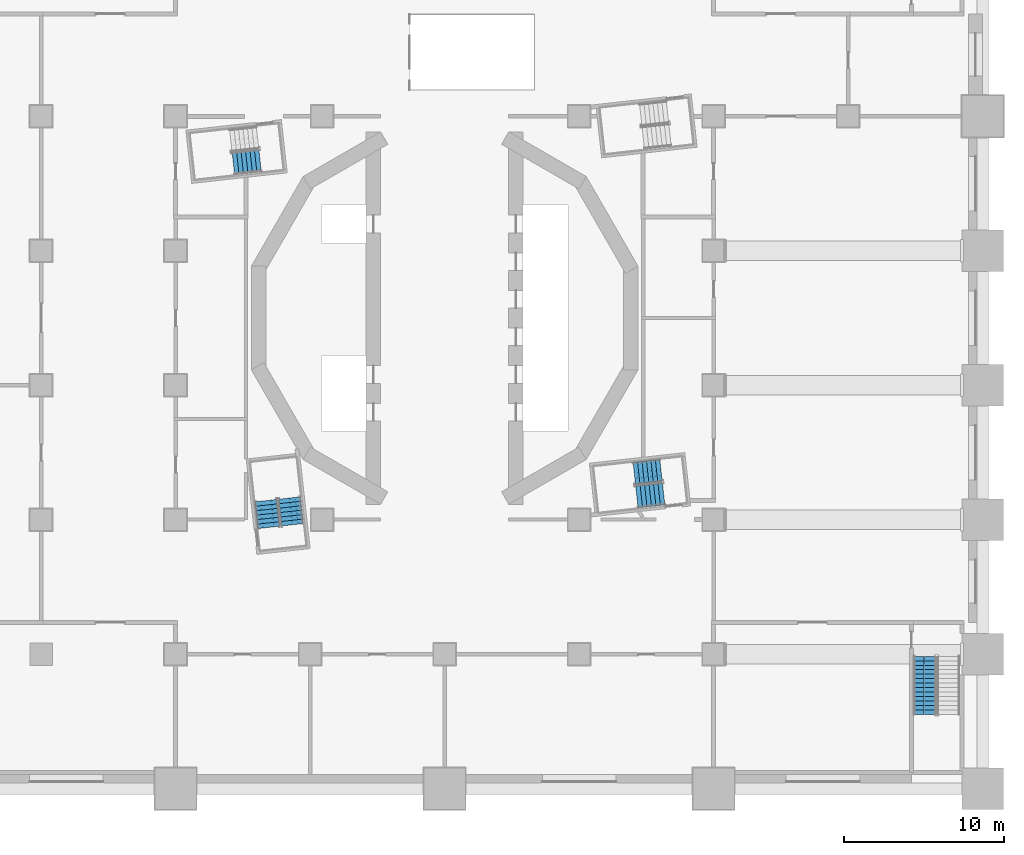
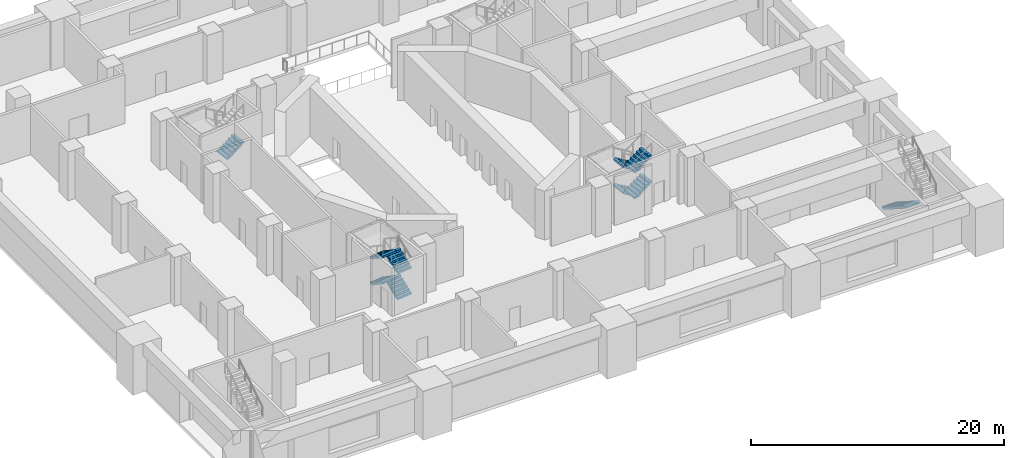
# One storey, part 6 of 17: 10 stair flights, 4 elements without a shape of their own.
"""IFC4 building model written with IfcOpenShell, lengths in metres."""

from ifc_helpers import new_model, si_unit, direction, frame, origin, place, context, subcontext, project, spatial, polyline, outline, extrude, material, type_object, element, aggregate, save


model = new_model("IFC4")

# Units and contexts
model_context = context("Model", 3, precision=1e-05, world=origin(), true_north=direction((0.0, 1.0)))
body_context = subcontext(model_context, "Body", "Model", "MODEL_VIEW")
ifc_project = project(units=[si_unit("LENGTHUNIT", "METRE"), si_unit("AREAUNIT", "SQUARE_METRE"), si_unit("VOLUMEUNIT", "CUBIC_METRE"), si_unit("PLANEANGLEUNIT", "RADIAN"), si_unit("MASSUNIT", "GRAM", prefix="KILO")], contexts=[model_context])

# Site, building, storey
site_placement = place(None, origin())
site = spatial("IfcSite", under=ifc_project, at=site_placement, CompositionType="ELEMENT")
building_placement = place(site_placement, origin())
building = spatial("IfcBuilding", under=site, at=building_placement, Name="Cantera Rosa Tower", CompositionType="ELEMENT")
storey_placement = place(building_placement, frame((0.0, 0.0, 22.0)))
storey = spatial("IfcBuildingStorey", under=building, at=storey_placement, Name="L03", CompositionType="ELEMENT", Elevation=22.0)

# Stair, stair flight
ifc_material_1 = material(Name="Concrete C35/45", Category="concrete")
stair_type_1 = type_object("IfcStairType", Name="EXIT STAIR 1350 DOGLEG", PredefinedType="HALF_TURN_STAIR", material=ifc_material_1)
stair_1_placement = place(storey_placement, origin())
stair_1 = element("IfcStair", 1, at=stair_1_placement, inside=storey, type_object=stair_type_1, Name="L03 ST-12", PredefinedType="HALF_TURN_STAIR")
ifc_material_2 = material(Name="Concrete C35/45", Category="concrete")
stair_flight_type_1 = type_object("IfcStairFlightType", Name="STAIR FLIGHT 1350 R28x179", PredefinedType="STRAIGHT", material=ifc_material_2)
stair_flight_1_placement = place(storey_placement, frame((-13.195556640625, 9.623779296875, 1.25), z_axis=(0.0, 0.0, 1.0), x_axis=(0.993896947056, 0.110312549749, 0.0)))
stair_flight_1 = element("IfcStairFlight", 2, at=stair_flight_1_placement, type_object=stair_flight_type_1, Name="ST-12 flight 2", NumberOfRisers=7, NumberOfTreads=6, PredefinedType="STRAIGHT", RiserHeight=0.178571429, TreadLength=0.28, context=body_context, shape_type="SweptSolid", body=[
    extrude(outline(polyline([(0.0, 0.0), (0.0, 0.178466796875), (0.280029296875, 0.178466796875), (0.280029296875, 0.357177734375), (0.56005859375, 0.357177734375), (0.56005859375, 0.53564453125), (0.840087890625, 0.53564453125), (0.840087890625, 0.71435546875), (1.1201171875, 0.71435546875), (1.1201171875, 0.892822265625), (1.39990234375, 0.892822265625), (1.39990234375, 1.071533203125), (1.679931640625, 1.071533203125), (1.679931640625, 1.25), (1.679931640625, 0.8935546875), (0.27880859375, 0.0), (0.0, 0.0)])), frame((0.0, 0.675048828125, 0.0), z_axis=(0.0, -1.0, 0.0), x_axis=(1.0, 0.0, 0.0)), (0.0, 0.0, 1.0), 0.3359375),
    extrude(outline(polyline([(0.0, 0.0), (0.0, 0.178466796875), (0.280029296875, 0.178466796875), (0.280029296875, 0.357177734375), (0.56005859375, 0.357177734375), (0.56005859375, 0.53564453125), (0.840087890625, 0.53564453125), (0.840087890625, 0.71435546875), (1.1201171875, 0.71435546875), (1.1201171875, 0.892822265625), (1.39990234375, 0.892822265625), (1.39990234375, 1.071533203125), (1.679931640625, 1.071533203125), (1.679931640625, 1.25), (1.679931640625, 0.8935546875), (0.27880859375, 0.0), (0.0, 0.0)])), frame((0.0, 0.337158203125, 0.0), z_axis=(0.0, -1.0, 0.0), x_axis=(1.0, 0.0, 0.0)), (0.0, 0.0, 1.0), 0.3359375),
    extrude(outline(polyline([(0.0, 0.0), (0.0, 0.178466796875), (0.280029296875, 0.178466796875), (0.280029296875, 0.357177734375), (0.56005859375, 0.357177734375), (0.56005859375, 0.53564453125), (0.840087890625, 0.53564453125), (0.840087890625, 0.71435546875), (1.1201171875, 0.71435546875), (1.1201171875, 0.892822265625), (1.39990234375, 0.892822265625), (1.39990234375, 1.071533203125), (1.679931640625, 1.071533203125), (1.679931640625, 1.25), (1.679931640625, 0.8935546875), (0.27880859375, 0.0), (0.0, 0.0)])), frame((0.0, -0.000732421875, 0.0), z_axis=(0.0, -1.0, 0.0), x_axis=(1.0, 0.0, 0.0)), (0.0, 0.0, 1.0), 0.3359375),
    extrude(outline(polyline([(0.0, 0.0), (0.0, 0.178466796875), (0.280029296875, 0.178466796875), (0.280029296875, 0.357177734375), (0.56005859375, 0.357177734375), (0.56005859375, 0.53564453125), (0.840087890625, 0.53564453125), (0.840087890625, 0.71435546875), (1.1201171875, 0.71435546875), (1.1201171875, 0.892822265625), (1.39990234375, 0.892822265625), (1.39990234375, 1.071533203125), (1.679931640625, 1.071533203125), (1.679931640625, 1.25), (1.679931640625, 0.8935546875), (0.27880859375, 0.0), (0.0, 0.0)])), frame((0.0, -0.338623046875, 0.0), z_axis=(0.0, -1.0, 0.0), x_axis=(1.0, 0.0, 0.0)), (0.0, 0.0, 1.0), 0.3359375),
])
aggregate(stair_1, [stair_flight_1])

# Stair, stair flights
stair_2_placement = place(storey_placement, origin())
stair_2 = element("IfcStair", 3, at=stair_2_placement, inside=storey, type_object=stair_type_1, Name="L03 ST-13", PredefinedType="HALF_TURN_STAIR")
stair_flight_2_placement = place(storey_placement, frame((-9.500244140625, -12.90869140625, 0.0), z_axis=(0.0, 0.0, 1.0), x_axis=(-0.110312549749, 0.993896947056, 0.0)))
stair_flight_2 = element("IfcStairFlight", 4, at=stair_flight_2_placement, type_object=stair_flight_type_1, Name="ST-13 flight 1", NumberOfRisers=7, NumberOfTreads=6, PredefinedType="STRAIGHT", RiserHeight=0.178571429, TreadLength=0.28, context=body_context, shape_type="SweptSolid", body=[
    extrude(outline(polyline([(0.0, 0.0), (0.0, 0.178466796875), (0.280029296875, 0.178466796875), (0.280029296875, 0.357177734375), (0.56005859375, 0.357177734375), (0.56005859375, 0.53564453125), (0.840087890625, 0.53564453125), (0.840087890625, 0.71435546875), (1.1201171875, 0.71435546875), (1.1201171875, 0.892822265625), (1.39990234375, 0.892822265625), (1.39990234375, 1.071533203125), (1.679931640625, 1.071533203125), (1.679931640625, 1.25), (1.679931640625, 0.8935546875), (0.27880859375, 0.0), (0.0, 0.0)])), frame((0.0, 0.675048828125, 0.0), z_axis=(0.0, -1.0, 0.0), x_axis=(1.0, 0.0, 0.0)), (0.0, 0.0, 1.0), 0.3359375),
    extrude(outline(polyline([(0.0, 0.0), (0.0, 0.178466796875), (0.280029296875, 0.178466796875), (0.280029296875, 0.357177734375), (0.56005859375, 0.357177734375), (0.56005859375, 0.53564453125), (0.840087890625, 0.53564453125), (0.840087890625, 0.71435546875), (1.1201171875, 0.71435546875), (1.1201171875, 0.892822265625), (1.39990234375, 0.892822265625), (1.39990234375, 1.071533203125), (1.679931640625, 1.071533203125), (1.679931640625, 1.25), (1.679931640625, 0.8935546875), (0.27880859375, 0.0), (0.0, 0.0)])), frame((0.0, 0.337158203125, 0.0), z_axis=(0.0, -1.0, 0.0), x_axis=(1.0, 0.0, 0.0)), (0.0, 0.0, 1.0), 0.3359375),
    extrude(outline(polyline([(0.0, 0.0), (0.0, 0.178466796875), (0.280029296875, 0.178466796875), (0.280029296875, 0.357177734375), (0.56005859375, 0.357177734375), (0.56005859375, 0.53564453125), (0.840087890625, 0.53564453125), (0.840087890625, 0.71435546875), (1.1201171875, 0.71435546875), (1.1201171875, 0.892822265625), (1.39990234375, 0.892822265625), (1.39990234375, 1.071533203125), (1.679931640625, 1.071533203125), (1.679931640625, 1.25), (1.679931640625, 0.8935546875), (0.27880859375, 0.0), (0.0, 0.0)])), frame((0.0, -0.000732421875, 0.0), z_axis=(0.0, -1.0, 0.0), x_axis=(1.0, 0.0, 0.0)), (0.0, 0.0, 1.0), 0.3359375),
    extrude(outline(polyline([(0.0, 0.0), (0.0, 0.178466796875), (0.280029296875, 0.178466796875), (0.280029296875, 0.357177734375), (0.56005859375, 0.357177734375), (0.56005859375, 0.53564453125), (0.840087890625, 0.53564453125), (0.840087890625, 0.71435546875), (1.1201171875, 0.71435546875), (1.1201171875, 0.892822265625), (1.39990234375, 0.892822265625), (1.39990234375, 1.071533203125), (1.679931640625, 1.071533203125), (1.679931640625, 1.25), (1.679931640625, 0.8935546875), (0.27880859375, 0.0), (0.0, 0.0)])), frame((0.0, -0.338623046875, 0.0), z_axis=(0.0, -1.0, 0.0), x_axis=(1.0, 0.0, 0.0)), (0.0, 0.0, 1.0), 0.3359375),
])
stair_flight_3_placement = place(storey_placement, frame((-11.17626953125, -11.404541015625, 1.25), z_axis=(0.0, 0.0, 1.0), x_axis=(0.110312549749, -0.993896947056, 0.0)))
stair_flight_3 = element("IfcStairFlight", 5, at=stair_flight_3_placement, type_object=stair_flight_type_1, Name="ST-13 flight 2", NumberOfRisers=7, NumberOfTreads=6, PredefinedType="STRAIGHT", RiserHeight=0.178571429, TreadLength=0.28, context=body_context, shape_type="SweptSolid", body=[
    extrude(outline(polyline([(0.0, 0.0), (0.0, 0.178466796875), (0.280029296875, 0.178466796875), (0.280029296875, 0.357177734375), (0.56005859375, 0.357177734375), (0.56005859375, 0.53564453125), (0.840087890625, 0.53564453125), (0.840087890625, 0.71435546875), (1.1201171875, 0.71435546875), (1.1201171875, 0.892822265625), (1.39990234375, 0.892822265625), (1.39990234375, 1.071533203125), (1.679931640625, 1.071533203125), (1.679931640625, 1.25), (1.679931640625, 0.8935546875), (0.27880859375, 0.0), (0.0, 0.0)])), frame((0.0, 0.675048828125, 0.0), z_axis=(0.0, -1.0, 0.0), x_axis=(1.0, 0.0, 0.0)), (0.0, 0.0, 1.0), 0.3359375),
    extrude(outline(polyline([(0.0, 0.0), (0.0, 0.178466796875), (0.280029296875, 0.178466796875), (0.280029296875, 0.357177734375), (0.56005859375, 0.357177734375), (0.56005859375, 0.53564453125), (0.840087890625, 0.53564453125), (0.840087890625, 0.71435546875), (1.1201171875, 0.71435546875), (1.1201171875, 0.892822265625), (1.39990234375, 0.892822265625), (1.39990234375, 1.071533203125), (1.679931640625, 1.071533203125), (1.679931640625, 1.25), (1.679931640625, 0.8935546875), (0.27880859375, 0.0), (0.0, 0.0)])), frame((0.0, 0.337158203125, 0.0), z_axis=(0.0, -1.0, 0.0), x_axis=(1.0, 0.0, 0.0)), (0.0, 0.0, 1.0), 0.3359375),
    extrude(outline(polyline([(0.0, 0.0), (0.0, 0.178466796875), (0.280029296875, 0.178466796875), (0.280029296875, 0.357177734375), (0.56005859375, 0.357177734375), (0.56005859375, 0.53564453125), (0.840087890625, 0.53564453125), (0.840087890625, 0.71435546875), (1.1201171875, 0.71435546875), (1.1201171875, 0.892822265625), (1.39990234375, 0.892822265625), (1.39990234375, 1.071533203125), (1.679931640625, 1.071533203125), (1.679931640625, 1.25), (1.679931640625, 0.8935546875), (0.27880859375, 0.0), (0.0, 0.0)])), frame((0.0, -0.000732421875, 0.0), z_axis=(0.0, -1.0, 0.0), x_axis=(1.0, 0.0, 0.0)), (0.0, 0.0, 1.0), 0.3359375),
    extrude(outline(polyline([(0.0, 0.0), (0.0, 0.178466796875), (0.280029296875, 0.178466796875), (0.280029296875, 0.357177734375), (0.56005859375, 0.357177734375), (0.56005859375, 0.53564453125), (0.840087890625, 0.53564453125), (0.840087890625, 0.71435546875), (1.1201171875, 0.71435546875), (1.1201171875, 0.892822265625), (1.39990234375, 0.892822265625), (1.39990234375, 1.071533203125), (1.679931640625, 1.071533203125), (1.679931640625, 1.25), (1.679931640625, 0.8935546875), (0.27880859375, 0.0), (0.0, 0.0)])), frame((0.0, -0.338623046875, 0.0), z_axis=(0.0, -1.0, 0.0), x_axis=(1.0, 0.0, 0.0)), (0.0, 0.0, 1.0), 0.3359375),
])
stair_flight_4_placement = place(storey_placement, frame((-9.500244140625, -12.90869140625, 2.5), z_axis=(0.0, 0.0, 1.0), x_axis=(-0.110312549749, 0.993896947056, 0.0)))
stair_flight_4 = element("IfcStairFlight", 6, at=stair_flight_4_placement, type_object=stair_flight_type_1, Name="ST-13 flight 3", NumberOfRisers=7, NumberOfTreads=6, PredefinedType="STRAIGHT", RiserHeight=0.178571429, TreadLength=0.28, context=body_context, shape_type="SweptSolid", body=[
    extrude(outline(polyline([(0.0, 0.0), (0.0, 0.178466796875), (0.280029296875, 0.178466796875), (0.280029296875, 0.357177734375), (0.56005859375, 0.357177734375), (0.56005859375, 0.53564453125), (0.840087890625, 0.53564453125), (0.840087890625, 0.71435546875), (1.1201171875, 0.71435546875), (1.1201171875, 0.892822265625), (1.39990234375, 0.892822265625), (1.39990234375, 1.071533203125), (1.679931640625, 1.071533203125), (1.679931640625, 1.25), (1.679931640625, 0.8935546875), (0.27880859375, 0.0), (0.0, 0.0)])), frame((0.0, 0.675048828125, 0.0), z_axis=(0.0, -1.0, 0.0), x_axis=(1.0, 0.0, 0.0)), (0.0, 0.0, 1.0), 0.3359375),
    extrude(outline(polyline([(0.0, 0.0), (0.0, 0.178466796875), (0.280029296875, 0.178466796875), (0.280029296875, 0.357177734375), (0.56005859375, 0.357177734375), (0.56005859375, 0.53564453125), (0.840087890625, 0.53564453125), (0.840087890625, 0.71435546875), (1.1201171875, 0.71435546875), (1.1201171875, 0.892822265625), (1.39990234375, 0.892822265625), (1.39990234375, 1.071533203125), (1.679931640625, 1.071533203125), (1.679931640625, 1.25), (1.679931640625, 0.8935546875), (0.27880859375, 0.0), (0.0, 0.0)])), frame((0.0, 0.337158203125, 0.0), z_axis=(0.0, -1.0, 0.0), x_axis=(1.0, 0.0, 0.0)), (0.0, 0.0, 1.0), 0.3359375),
    extrude(outline(polyline([(0.0, 0.0), (0.0, 0.178466796875), (0.280029296875, 0.178466796875), (0.280029296875, 0.357177734375), (0.56005859375, 0.357177734375), (0.56005859375, 0.53564453125), (0.840087890625, 0.53564453125), (0.840087890625, 0.71435546875), (1.1201171875, 0.71435546875), (1.1201171875, 0.892822265625), (1.39990234375, 0.892822265625), (1.39990234375, 1.071533203125), (1.679931640625, 1.071533203125), (1.679931640625, 1.25), (1.679931640625, 0.8935546875), (0.27880859375, 0.0), (0.0, 0.0)])), frame((0.0, -0.000732421875, 0.0), z_axis=(0.0, -1.0, 0.0), x_axis=(1.0, 0.0, 0.0)), (0.0, 0.0, 1.0), 0.3359375),
    extrude(outline(polyline([(0.0, 0.0), (0.0, 0.178466796875), (0.280029296875, 0.178466796875), (0.280029296875, 0.357177734375), (0.56005859375, 0.357177734375), (0.56005859375, 0.53564453125), (0.840087890625, 0.53564453125), (0.840087890625, 0.71435546875), (1.1201171875, 0.71435546875), (1.1201171875, 0.892822265625), (1.39990234375, 0.892822265625), (1.39990234375, 1.071533203125), (1.679931640625, 1.071533203125), (1.679931640625, 1.25), (1.679931640625, 0.8935546875), (0.27880859375, 0.0), (0.0, 0.0)])), frame((0.0, -0.338623046875, 0.0), z_axis=(0.0, -1.0, 0.0), x_axis=(1.0, 0.0, 0.0)), (0.0, 0.0, 1.0), 0.3359375),
])
stair_flight_5_placement = place(storey_placement, frame((-11.17626953125, -11.404541015625, 3.75), z_axis=(0.0, 0.0, 1.0), x_axis=(0.110312549749, -0.993896947056, 0.0)))
stair_flight_5 = element("IfcStairFlight", 7, at=stair_flight_5_placement, type_object=stair_flight_type_1, Name="ST-13 flight 4", NumberOfRisers=7, NumberOfTreads=6, PredefinedType="STRAIGHT", RiserHeight=0.178571429, TreadLength=0.28, context=body_context, shape_type="SweptSolid", body=[
    extrude(outline(polyline([(0.0, 0.0), (0.0, 0.178466796875), (0.280029296875, 0.178466796875), (0.280029296875, 0.357177734375), (0.56005859375, 0.357177734375), (0.56005859375, 0.53564453125), (0.840087890625, 0.53564453125), (0.840087890625, 0.71435546875), (1.1201171875, 0.71435546875), (1.1201171875, 0.892822265625), (1.39990234375, 0.892822265625), (1.39990234375, 1.071533203125), (1.679931640625, 1.071533203125), (1.679931640625, 1.25), (1.679931640625, 0.8935546875), (0.27880859375, 0.0), (0.0, 0.0)])), frame((0.0, 0.675048828125, 0.0), z_axis=(0.0, -1.0, 0.0), x_axis=(1.0, 0.0, 0.0)), (0.0, 0.0, 1.0), 0.3359375),
    extrude(outline(polyline([(0.0, 0.0), (0.0, 0.178466796875), (0.280029296875, 0.178466796875), (0.280029296875, 0.357177734375), (0.56005859375, 0.357177734375), (0.56005859375, 0.53564453125), (0.840087890625, 0.53564453125), (0.840087890625, 0.71435546875), (1.1201171875, 0.71435546875), (1.1201171875, 0.892822265625), (1.39990234375, 0.892822265625), (1.39990234375, 1.071533203125), (1.679931640625, 1.071533203125), (1.679931640625, 1.25), (1.679931640625, 0.8935546875), (0.27880859375, 0.0), (0.0, 0.0)])), frame((0.0, 0.337158203125, 0.0), z_axis=(0.0, -1.0, 0.0), x_axis=(1.0, 0.0, 0.0)), (0.0, 0.0, 1.0), 0.3359375),
    extrude(outline(polyline([(0.0, 0.0), (0.0, 0.178466796875), (0.280029296875, 0.178466796875), (0.280029296875, 0.357177734375), (0.56005859375, 0.357177734375), (0.56005859375, 0.53564453125), (0.840087890625, 0.53564453125), (0.840087890625, 0.71435546875), (1.1201171875, 0.71435546875), (1.1201171875, 0.892822265625), (1.39990234375, 0.892822265625), (1.39990234375, 1.071533203125), (1.679931640625, 1.071533203125), (1.679931640625, 1.25), (1.679931640625, 0.8935546875), (0.27880859375, 0.0), (0.0, 0.0)])), frame((0.0, -0.000732421875, 0.0), z_axis=(0.0, -1.0, 0.0), x_axis=(1.0, 0.0, 0.0)), (0.0, 0.0, 1.0), 0.3359375),
    extrude(outline(polyline([(0.0, 0.0), (0.0, 0.178466796875), (0.280029296875, 0.178466796875), (0.280029296875, 0.357177734375), (0.56005859375, 0.357177734375), (0.56005859375, 0.53564453125), (0.840087890625, 0.53564453125), (0.840087890625, 0.71435546875), (1.1201171875, 0.71435546875), (1.1201171875, 0.892822265625), (1.39990234375, 0.892822265625), (1.39990234375, 1.071533203125), (1.679931640625, 1.071533203125), (1.679931640625, 1.25), (1.679931640625, 0.8935546875), (0.27880859375, 0.0), (0.0, 0.0)])), frame((0.0, -0.338623046875, 0.0), z_axis=(0.0, -1.0, 0.0), x_axis=(1.0, 0.0, 0.0)), (0.0, 0.0, 1.0), 0.3359375),
])
aggregate(stair_2, [stair_flight_2, stair_flight_3, stair_flight_4, stair_flight_5])

stair_3_placement = place(storey_placement, origin())
stair_3 = element("IfcStair", 8, at=stair_3_placement, inside=storey, type_object=stair_type_1, Name="L03 ST-14", PredefinedType="HALF_TURN_STAIR")
stair_flight_6_placement = place(storey_placement, frame((13.5087890625, -9.500244140625, 0.0), z_axis=(0.0, 0.0, 1.0), x_axis=(-0.993896947056, -0.110312549749, 0.0)))
stair_flight_6 = element("IfcStairFlight", 9, at=stair_flight_6_placement, type_object=stair_flight_type_1, Name="ST-14 flight 1", NumberOfRisers=7, NumberOfTreads=6, PredefinedType="STRAIGHT", RiserHeight=0.178571429, TreadLength=0.28, context=body_context, shape_type="SweptSolid", body=[
    extrude(outline(polyline([(0.0, 0.0), (0.0, 0.178466796875), (0.280029296875, 0.178466796875), (0.280029296875, 0.357177734375), (0.56005859375, 0.357177734375), (0.56005859375, 0.53564453125), (0.840087890625, 0.53564453125), (0.840087890625, 0.71435546875), (1.1201171875, 0.71435546875), (1.1201171875, 0.892822265625), (1.39990234375, 0.892822265625), (1.39990234375, 1.071533203125), (1.679931640625, 1.071533203125), (1.679931640625, 1.25), (1.679931640625, 0.8935546875), (0.27880859375, 0.0), (0.0, 0.0)])), frame((0.0, 0.675048828125, 0.0), z_axis=(0.0, -1.0, 0.0), x_axis=(1.0, 0.0, 0.0)), (0.0, 0.0, 1.0), 0.3359375),
    extrude(outline(polyline([(0.0, 0.0), (0.0, 0.178466796875), (0.280029296875, 0.178466796875), (0.280029296875, 0.357177734375), (0.56005859375, 0.357177734375), (0.56005859375, 0.53564453125), (0.840087890625, 0.53564453125), (0.840087890625, 0.71435546875), (1.1201171875, 0.71435546875), (1.1201171875, 0.892822265625), (1.39990234375, 0.892822265625), (1.39990234375, 1.071533203125), (1.679931640625, 1.071533203125), (1.679931640625, 1.25), (1.679931640625, 0.8935546875), (0.27880859375, 0.0), (0.0, 0.0)])), frame((0.0, 0.337158203125, 0.0), z_axis=(0.0, -1.0, 0.0), x_axis=(1.0, 0.0, 0.0)), (0.0, 0.0, 1.0), 0.3359375),
    extrude(outline(polyline([(0.0, 0.0), (0.0, 0.178466796875), (0.280029296875, 0.178466796875), (0.280029296875, 0.357177734375), (0.56005859375, 0.357177734375), (0.56005859375, 0.53564453125), (0.840087890625, 0.53564453125), (0.840087890625, 0.71435546875), (1.1201171875, 0.71435546875), (1.1201171875, 0.892822265625), (1.39990234375, 0.892822265625), (1.39990234375, 1.071533203125), (1.679931640625, 1.071533203125), (1.679931640625, 1.25), (1.679931640625, 0.8935546875), (0.27880859375, 0.0), (0.0, 0.0)])), frame((0.0, -0.000732421875, 0.0), z_axis=(0.0, -1.0, 0.0), x_axis=(1.0, 0.0, 0.0)), (0.0, 0.0, 1.0), 0.3359375),
    extrude(outline(polyline([(0.0, 0.0), (0.0, 0.178466796875), (0.280029296875, 0.178466796875), (0.280029296875, 0.357177734375), (0.56005859375, 0.357177734375), (0.56005859375, 0.53564453125), (0.840087890625, 0.53564453125), (0.840087890625, 0.71435546875), (1.1201171875, 0.71435546875), (1.1201171875, 0.892822265625), (1.39990234375, 0.892822265625), (1.39990234375, 1.071533203125), (1.679931640625, 1.071533203125), (1.679931640625, 1.25), (1.679931640625, 0.8935546875), (0.27880859375, 0.0), (0.0, 0.0)])), frame((0.0, -0.338623046875, 0.0), z_axis=(0.0, -1.0, 0.0), x_axis=(1.0, 0.0, 0.0)), (0.0, 0.0, 1.0), 0.3359375),
])
stair_flight_7_placement = place(storey_placement, frame((12.00439453125, -11.17626953125, 1.25), z_axis=(0.0, 0.0, 1.0), x_axis=(0.993896947056, 0.110312549749, 0.0)))
stair_flight_7 = element("IfcStairFlight", 10, at=stair_flight_7_placement, type_object=stair_flight_type_1, Name="ST-14 flight 2", NumberOfRisers=7, NumberOfTreads=6, PredefinedType="STRAIGHT", RiserHeight=0.178571429, TreadLength=0.28, context=body_context, shape_type="SweptSolid", body=[
    extrude(outline(polyline([(0.0, 0.0), (0.0, 0.178466796875), (0.280029296875, 0.178466796875), (0.280029296875, 0.357177734375), (0.56005859375, 0.357177734375), (0.56005859375, 0.53564453125), (0.840087890625, 0.53564453125), (0.840087890625, 0.71435546875), (1.1201171875, 0.71435546875), (1.1201171875, 0.892822265625), (1.39990234375, 0.892822265625), (1.39990234375, 1.071533203125), (1.679931640625, 1.071533203125), (1.679931640625, 1.25), (1.679931640625, 0.8935546875), (0.27880859375, 0.0), (0.0, 0.0)])), frame((0.0, 0.675048828125, 0.0), z_axis=(0.0, -1.0, 0.0), x_axis=(1.0, 0.0, 0.0)), (0.0, 0.0, 1.0), 0.3359375),
    extrude(outline(polyline([(0.0, 0.0), (0.0, 0.178466796875), (0.280029296875, 0.178466796875), (0.280029296875, 0.357177734375), (0.56005859375, 0.357177734375), (0.56005859375, 0.53564453125), (0.840087890625, 0.53564453125), (0.840087890625, 0.71435546875), (1.1201171875, 0.71435546875), (1.1201171875, 0.892822265625), (1.39990234375, 0.892822265625), (1.39990234375, 1.071533203125), (1.679931640625, 1.071533203125), (1.679931640625, 1.25), (1.679931640625, 0.8935546875), (0.27880859375, 0.0), (0.0, 0.0)])), frame((0.0, 0.337158203125, 0.0), z_axis=(0.0, -1.0, 0.0), x_axis=(1.0, 0.0, 0.0)), (0.0, 0.0, 1.0), 0.3359375),
    extrude(outline(polyline([(0.0, 0.0), (0.0, 0.178466796875), (0.280029296875, 0.178466796875), (0.280029296875, 0.357177734375), (0.56005859375, 0.357177734375), (0.56005859375, 0.53564453125), (0.840087890625, 0.53564453125), (0.840087890625, 0.71435546875), (1.1201171875, 0.71435546875), (1.1201171875, 0.892822265625), (1.39990234375, 0.892822265625), (1.39990234375, 1.071533203125), (1.679931640625, 1.071533203125), (1.679931640625, 1.25), (1.679931640625, 0.8935546875), (0.27880859375, 0.0), (0.0, 0.0)])), frame((0.0, -0.000732421875, 0.0), z_axis=(0.0, -1.0, 0.0), x_axis=(1.0, 0.0, 0.0)), (0.0, 0.0, 1.0), 0.3359375),
    extrude(outline(polyline([(0.0, 0.0), (0.0, 0.178466796875), (0.280029296875, 0.178466796875), (0.280029296875, 0.357177734375), (0.56005859375, 0.357177734375), (0.56005859375, 0.53564453125), (0.840087890625, 0.53564453125), (0.840087890625, 0.71435546875), (1.1201171875, 0.71435546875), (1.1201171875, 0.892822265625), (1.39990234375, 0.892822265625), (1.39990234375, 1.071533203125), (1.679931640625, 1.071533203125), (1.679931640625, 1.25), (1.679931640625, 0.8935546875), (0.27880859375, 0.0), (0.0, 0.0)])), frame((0.0, -0.338623046875, 0.0), z_axis=(0.0, -1.0, 0.0), x_axis=(1.0, 0.0, 0.0)), (0.0, 0.0, 1.0), 0.3359375),
])
stair_flight_8_placement = place(storey_placement, frame((13.5087890625, -9.500244140625, 2.5), z_axis=(0.0, 0.0, 1.0), x_axis=(-0.993896947056, -0.110312549749, 0.0)))
stair_flight_8 = element("IfcStairFlight", 11, at=stair_flight_8_placement, type_object=stair_flight_type_1, Name="ST-14 flight 3", NumberOfRisers=7, NumberOfTreads=6, PredefinedType="STRAIGHT", RiserHeight=0.178571429, TreadLength=0.28, context=body_context, shape_type="SweptSolid", body=[
    extrude(outline(polyline([(0.0, 0.0), (0.0, 0.178466796875), (0.280029296875, 0.178466796875), (0.280029296875, 0.357177734375), (0.56005859375, 0.357177734375), (0.56005859375, 0.53564453125), (0.840087890625, 0.53564453125), (0.840087890625, 0.71435546875), (1.1201171875, 0.71435546875), (1.1201171875, 0.892822265625), (1.39990234375, 0.892822265625), (1.39990234375, 1.071533203125), (1.679931640625, 1.071533203125), (1.679931640625, 1.25), (1.679931640625, 0.8935546875), (0.27880859375, 0.0), (0.0, 0.0)])), frame((0.0, 0.675048828125, 0.0), z_axis=(0.0, -1.0, 0.0), x_axis=(1.0, 0.0, 0.0)), (0.0, 0.0, 1.0), 0.3359375),
    extrude(outline(polyline([(0.0, 0.0), (0.0, 0.178466796875), (0.280029296875, 0.178466796875), (0.280029296875, 0.357177734375), (0.56005859375, 0.357177734375), (0.56005859375, 0.53564453125), (0.840087890625, 0.53564453125), (0.840087890625, 0.71435546875), (1.1201171875, 0.71435546875), (1.1201171875, 0.892822265625), (1.39990234375, 0.892822265625), (1.39990234375, 1.071533203125), (1.679931640625, 1.071533203125), (1.679931640625, 1.25), (1.679931640625, 0.8935546875), (0.27880859375, 0.0), (0.0, 0.0)])), frame((0.0, 0.337158203125, 0.0), z_axis=(0.0, -1.0, 0.0), x_axis=(1.0, 0.0, 0.0)), (0.0, 0.0, 1.0), 0.3359375),
    extrude(outline(polyline([(0.0, 0.0), (0.0, 0.178466796875), (0.280029296875, 0.178466796875), (0.280029296875, 0.357177734375), (0.56005859375, 0.357177734375), (0.56005859375, 0.53564453125), (0.840087890625, 0.53564453125), (0.840087890625, 0.71435546875), (1.1201171875, 0.71435546875), (1.1201171875, 0.892822265625), (1.39990234375, 0.892822265625), (1.39990234375, 1.071533203125), (1.679931640625, 1.071533203125), (1.679931640625, 1.25), (1.679931640625, 0.8935546875), (0.27880859375, 0.0), (0.0, 0.0)])), frame((0.0, -0.000732421875, 0.0), z_axis=(0.0, -1.0, 0.0), x_axis=(1.0, 0.0, 0.0)), (0.0, 0.0, 1.0), 0.3359375),
    extrude(outline(polyline([(0.0, 0.0), (0.0, 0.178466796875), (0.280029296875, 0.178466796875), (0.280029296875, 0.357177734375), (0.56005859375, 0.357177734375), (0.56005859375, 0.53564453125), (0.840087890625, 0.53564453125), (0.840087890625, 0.71435546875), (1.1201171875, 0.71435546875), (1.1201171875, 0.892822265625), (1.39990234375, 0.892822265625), (1.39990234375, 1.071533203125), (1.679931640625, 1.071533203125), (1.679931640625, 1.25), (1.679931640625, 0.8935546875), (0.27880859375, 0.0), (0.0, 0.0)])), frame((0.0, -0.338623046875, 0.0), z_axis=(0.0, -1.0, 0.0), x_axis=(1.0, 0.0, 0.0)), (0.0, 0.0, 1.0), 0.3359375),
])
stair_flight_9_placement = place(storey_placement, frame((12.00439453125, -11.17626953125, 3.75), z_axis=(0.0, 0.0, 1.0), x_axis=(0.993896947056, 0.110312549749, 0.0)))
stair_flight_9 = element("IfcStairFlight", 12, at=stair_flight_9_placement, type_object=stair_flight_type_1, Name="ST-14 flight 4", NumberOfRisers=7, NumberOfTreads=6, PredefinedType="STRAIGHT", RiserHeight=0.178571429, TreadLength=0.28, context=body_context, shape_type="SweptSolid", body=[
    extrude(outline(polyline([(0.0, 0.0), (0.0, 0.178466796875), (0.280029296875, 0.178466796875), (0.280029296875, 0.357177734375), (0.56005859375, 0.357177734375), (0.56005859375, 0.53564453125), (0.840087890625, 0.53564453125), (0.840087890625, 0.71435546875), (1.1201171875, 0.71435546875), (1.1201171875, 0.892822265625), (1.39990234375, 0.892822265625), (1.39990234375, 1.071533203125), (1.679931640625, 1.071533203125), (1.679931640625, 1.25), (1.679931640625, 0.8935546875), (0.27880859375, 0.0), (0.0, 0.0)])), frame((0.0, 0.675048828125, 0.0), z_axis=(0.0, -1.0, 0.0), x_axis=(1.0, 0.0, 0.0)), (0.0, 0.0, 1.0), 0.3359375),
    extrude(outline(polyline([(0.0, 0.0), (0.0, 0.178466796875), (0.280029296875, 0.178466796875), (0.280029296875, 0.357177734375), (0.56005859375, 0.357177734375), (0.56005859375, 0.53564453125), (0.840087890625, 0.53564453125), (0.840087890625, 0.71435546875), (1.1201171875, 0.71435546875), (1.1201171875, 0.892822265625), (1.39990234375, 0.892822265625), (1.39990234375, 1.071533203125), (1.679931640625, 1.071533203125), (1.679931640625, 1.25), (1.679931640625, 0.8935546875), (0.27880859375, 0.0), (0.0, 0.0)])), frame((0.0, 0.337158203125, 0.0), z_axis=(0.0, -1.0, 0.0), x_axis=(1.0, 0.0, 0.0)), (0.0, 0.0, 1.0), 0.3359375),
    extrude(outline(polyline([(0.0, 0.0), (0.0, 0.178466796875), (0.280029296875, 0.178466796875), (0.280029296875, 0.357177734375), (0.56005859375, 0.357177734375), (0.56005859375, 0.53564453125), (0.840087890625, 0.53564453125), (0.840087890625, 0.71435546875), (1.1201171875, 0.71435546875), (1.1201171875, 0.892822265625), (1.39990234375, 0.892822265625), (1.39990234375, 1.071533203125), (1.679931640625, 1.071533203125), (1.679931640625, 1.25), (1.679931640625, 0.8935546875), (0.27880859375, 0.0), (0.0, 0.0)])), frame((0.0, -0.000732421875, 0.0), z_axis=(0.0, -1.0, 0.0), x_axis=(1.0, 0.0, 0.0)), (0.0, 0.0, 1.0), 0.3359375),
    extrude(outline(polyline([(0.0, 0.0), (0.0, 0.178466796875), (0.280029296875, 0.178466796875), (0.280029296875, 0.357177734375), (0.56005859375, 0.357177734375), (0.56005859375, 0.53564453125), (0.840087890625, 0.53564453125), (0.840087890625, 0.71435546875), (1.1201171875, 0.71435546875), (1.1201171875, 0.892822265625), (1.39990234375, 0.892822265625), (1.39990234375, 1.071533203125), (1.679931640625, 1.071533203125), (1.679931640625, 1.25), (1.679931640625, 0.8935546875), (0.27880859375, 0.0), (0.0, 0.0)])), frame((0.0, -0.338623046875, 0.0), z_axis=(0.0, -1.0, 0.0), x_axis=(1.0, 0.0, 0.0)), (0.0, 0.0, 1.0), 0.3359375),
])
aggregate(stair_3, [stair_flight_6, stair_flight_7, stair_flight_8, stair_flight_9])

# Stair, stair flight
ifc_material_3 = material(Name="Concrete C35/45", Category="concrete")
stair_type_2 = type_object("IfcStairType", Name="Stair half-turn 1350", PredefinedType="HALF_TURN_STAIR", material=ifc_material_3)
stair_4_placement = place(storey_placement, origin())
stair_4 = element("IfcStair", 13, at=stair_4_placement, inside=storey, type_object=stair_type_2, Name="L03 ST-SE", PredefinedType="HALF_TURN_STAIR")
ifc_material_4 = material(Name="Concrete C35/45", Category="concrete")
stair_flight_type_2 = type_object("IfcStairFlightType", Name="Stair flight 1350", PredefinedType="STRAIGHT", material=ifc_material_4)
stair_flight_10_placement = place(storey_placement, frame((29.949951171875, -21.125, 0.0), z_axis=(0.0, 0.0, 1.0), x_axis=(0.0, -1.0, 0.0)))
stair_flight_10 = element("IfcStairFlight", 14, at=stair_flight_10_placement, type_object=stair_flight_type_2, Name="ST-SE flight 1", NumberOfRisers=14, NumberOfTreads=13, PredefinedType="STRAIGHT", RiserHeight=0.178571429, TreadLength=0.28, context=body_context, shape_type="SweptSolid", body=[
    extrude(outline(polyline([(0.0, 0.0), (0.0, 0.178466796875), (0.280029296875, 0.178466796875), (0.280029296875, 0.357177734375), (0.56005859375, 0.357177734375), (0.56005859375, 0.53564453125), (0.840087890625, 0.53564453125), (0.840087890625, 0.71435546875), (1.1201171875, 0.71435546875), (1.1201171875, 0.892822265625), (1.39990234375, 0.892822265625), (1.39990234375, 1.071533203125), (1.679931640625, 1.071533203125), (1.679931640625, 1.25), (1.9599609375, 1.25), (1.9599609375, 1.428466796875), (2.239990234375, 1.428466796875), (2.239990234375, 1.607177734375), (2.52001953125, 1.607177734375), (2.52001953125, 1.78564453125), (2.800048828125, 1.78564453125), (2.800048828125, 1.96435546875), (3.080078125, 1.96435546875), (3.080078125, 2.142822265625), (3.360107421875, 2.142822265625), (3.360107421875, 2.321533203125), (3.639892578125, 2.321533203125), (3.639892578125, 2.5), (3.639892578125, 2.1435546875), (0.27880859375, 0.0), (0.0, 0.0)])), frame((0.0, 0.675048828125, 0.0), z_axis=(0.0, -1.0, 0.0), x_axis=(1.0, 0.0, 0.0)), (0.0, 0.0, 1.0), 0.3359375),
    extrude(outline(polyline([(0.0, 0.0), (0.0, 0.178466796875), (0.280029296875, 0.178466796875), (0.280029296875, 0.357177734375), (0.56005859375, 0.357177734375), (0.56005859375, 0.53564453125), (0.840087890625, 0.53564453125), (0.840087890625, 0.71435546875), (1.1201171875, 0.71435546875), (1.1201171875, 0.892822265625), (1.39990234375, 0.892822265625), (1.39990234375, 1.071533203125), (1.679931640625, 1.071533203125), (1.679931640625, 1.25), (1.9599609375, 1.25), (1.9599609375, 1.428466796875), (2.239990234375, 1.428466796875), (2.239990234375, 1.607177734375), (2.52001953125, 1.607177734375), (2.52001953125, 1.78564453125), (2.800048828125, 1.78564453125), (2.800048828125, 1.96435546875), (3.080078125, 1.96435546875), (3.080078125, 2.142822265625), (3.360107421875, 2.142822265625), (3.360107421875, 2.321533203125), (3.639892578125, 2.321533203125), (3.639892578125, 2.5), (3.639892578125, 2.1435546875), (0.27880859375, 0.0), (0.0, 0.0)])), frame((0.0, 0.337158203125, 0.0), z_axis=(0.0, -1.0, 0.0), x_axis=(1.0, 0.0, 0.0)), (0.0, 0.0, 1.0), 0.3359375),
    extrude(outline(polyline([(0.0, 0.0), (0.0, 0.178466796875), (0.280029296875, 0.178466796875), (0.280029296875, 0.357177734375), (0.56005859375, 0.357177734375), (0.56005859375, 0.53564453125), (0.840087890625, 0.53564453125), (0.840087890625, 0.71435546875), (1.1201171875, 0.71435546875), (1.1201171875, 0.892822265625), (1.39990234375, 0.892822265625), (1.39990234375, 1.071533203125), (1.679931640625, 1.071533203125), (1.679931640625, 1.25), (1.9599609375, 1.25), (1.9599609375, 1.428466796875), (2.239990234375, 1.428466796875), (2.239990234375, 1.607177734375), (2.52001953125, 1.607177734375), (2.52001953125, 1.78564453125), (2.800048828125, 1.78564453125), (2.800048828125, 1.96435546875), (3.080078125, 1.96435546875), (3.080078125, 2.142822265625), (3.360107421875, 2.142822265625), (3.360107421875, 2.321533203125), (3.639892578125, 2.321533203125), (3.639892578125, 2.5), (3.639892578125, 2.1435546875), (0.27880859375, 0.0), (0.0, 0.0)])), frame((0.0, -0.000732421875, 0.0), z_axis=(0.0, -1.0, 0.0), x_axis=(1.0, 0.0, 0.0)), (0.0, 0.0, 1.0), 0.3359375),
    extrude(outline(polyline([(0.0, 0.0), (0.0, 0.178466796875), (0.280029296875, 0.178466796875), (0.280029296875, 0.357177734375), (0.56005859375, 0.357177734375), (0.56005859375, 0.53564453125), (0.840087890625, 0.53564453125), (0.840087890625, 0.71435546875), (1.1201171875, 0.71435546875), (1.1201171875, 0.892822265625), (1.39990234375, 0.892822265625), (1.39990234375, 1.071533203125), (1.679931640625, 1.071533203125), (1.679931640625, 1.25), (1.9599609375, 1.25), (1.9599609375, 1.428466796875), (2.239990234375, 1.428466796875), (2.239990234375, 1.607177734375), (2.52001953125, 1.607177734375), (2.52001953125, 1.78564453125), (2.800048828125, 1.78564453125), (2.800048828125, 1.96435546875), (3.080078125, 1.96435546875), (3.080078125, 2.142822265625), (3.360107421875, 2.142822265625), (3.360107421875, 2.321533203125), (3.639892578125, 2.321533203125), (3.639892578125, 2.5), (3.639892578125, 2.1435546875), (0.27880859375, 0.0), (0.0, 0.0)])), frame((0.0, -0.338623046875, 0.0), z_axis=(0.0, -1.0, 0.0), x_axis=(1.0, 0.0, 0.0)), (0.0, 0.0, 1.0), 0.3359375),
])
aggregate(stair_4, [stair_flight_10])

save(model, "model.ifc")
